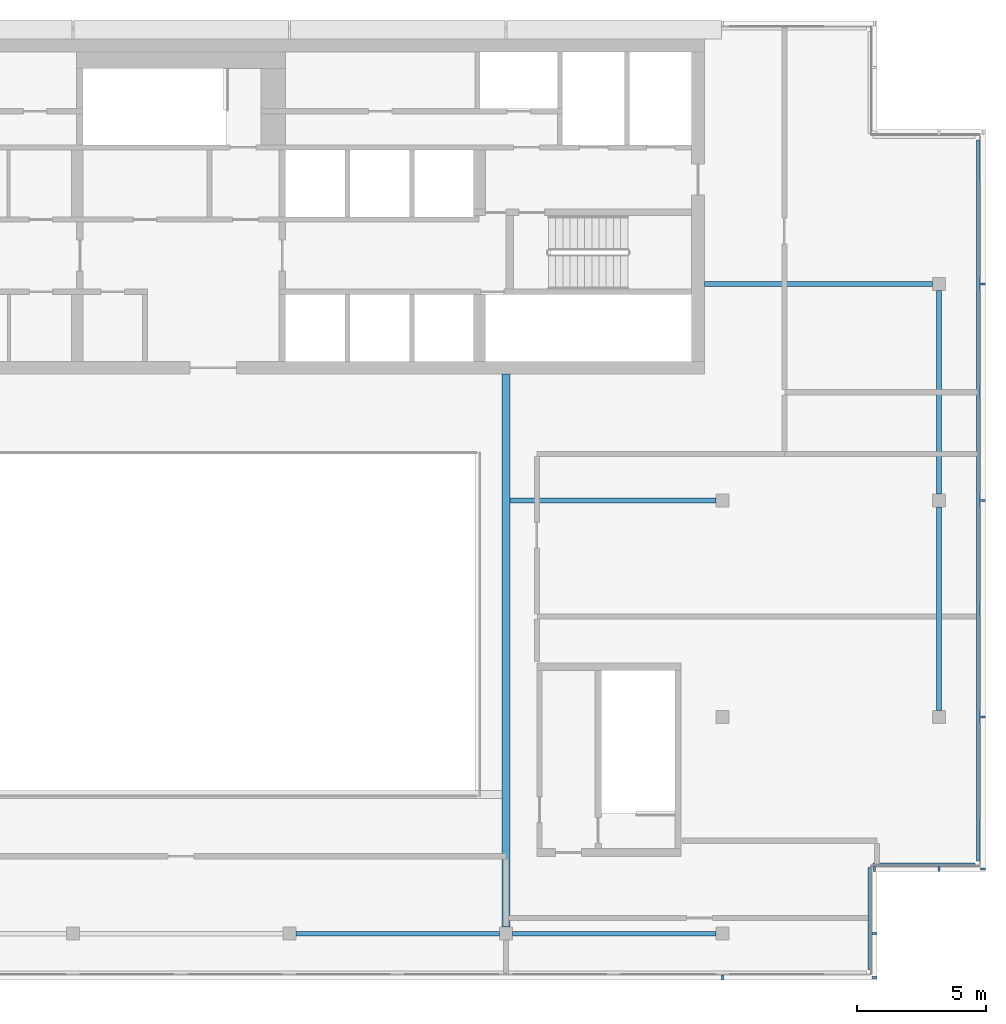
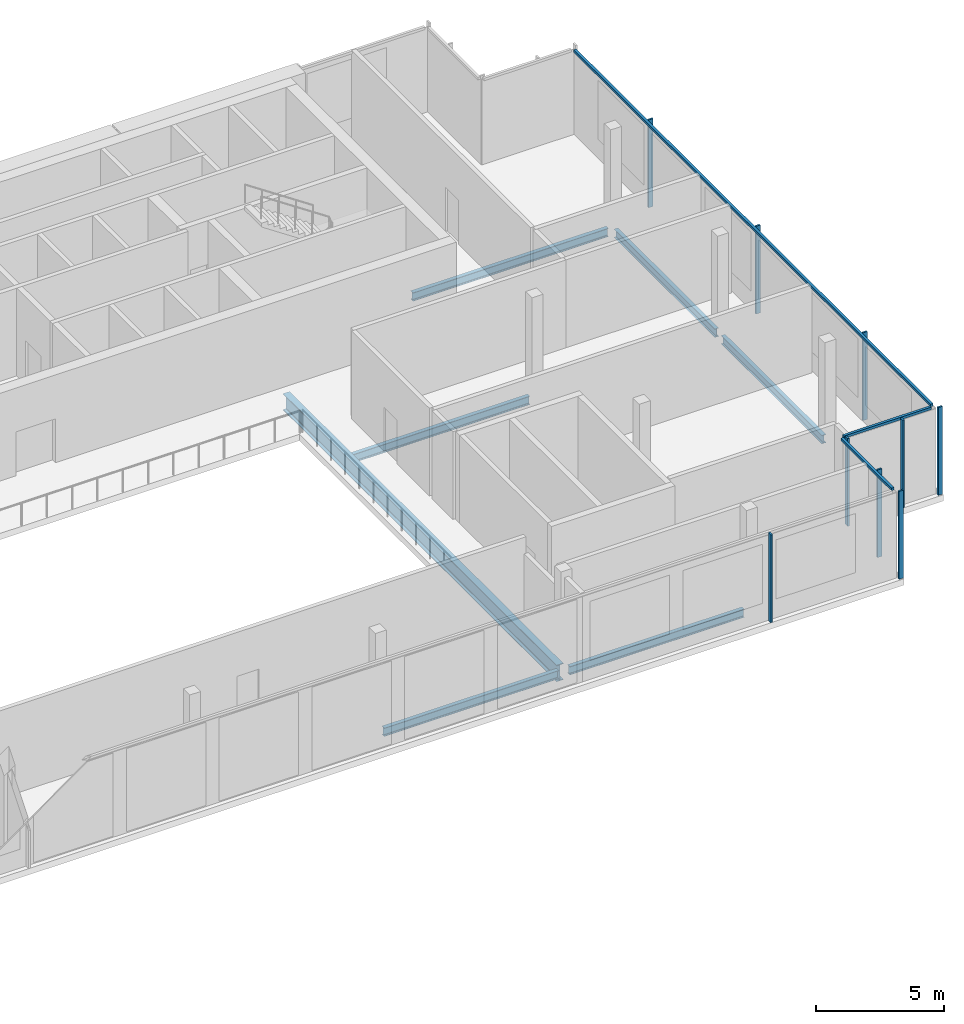
# One storey, part 5 of 14: 12 members, 7 beams, 4 elements without a shape of their own.
"""IFC4 building model written with IfcOpenShell, lengths in metres."""

from ifc_helpers import new_model, si_unit, direction, frame, origin, origin_2d, place, context, subcontext, project, spatial, rectangle, i_section, extrude, material, material_profile, profile_set, type_object, element, aggregate, save


model = new_model("IFC4")

# Units and contexts
model_context = context("Model", 3, precision=1e-05, world=origin(), true_north=direction((0.0, 1.0)))
body_context = subcontext(model_context, "Body", "Model", "MODEL_VIEW")
ifc_project = project(units=[si_unit("LENGTHUNIT", "METRE"), si_unit("AREAUNIT", "SQUARE_METRE"), si_unit("VOLUMEUNIT", "CUBIC_METRE"), si_unit("PLANEANGLEUNIT", "RADIAN"), si_unit("MASSUNIT", "GRAM", prefix="KILO")], contexts=[model_context])

# Site, building, storey
site_placement = place(None, origin())
site = spatial("IfcSite", under=ifc_project, at=site_placement, CompositionType="ELEMENT")
building_placement = place(site_placement, origin())
building = spatial("IfcBuilding", under=site, at=building_placement, Name="Saffron Gate Tower", CompositionType="ELEMENT")
storey_placement = place(building_placement, frame((0.0, 0.0, 310.35009765625)))
storey = spatial("IfcBuildingStorey", under=building, at=storey_placement, Name="L76", CompositionType="ELEMENT", Elevation=310.35009765625)

# Beams
ifc_material_1 = material(Name="Structural steel S355", Category="steel")
ifc_material_profile_1 = material_profile(ifc_material_1, i_section(OverallWidth=0.300048828125, OverallDepth=0.7900390625, WebThickness=0.014892578125, FlangeThickness=0.028076171875, FilletRadius=0.030029296875, at=origin_2d()))
ifc_profile_set_1 = profile_set([ifc_material_profile_1], Name="Structural steel S355")
beam_type_1 = type_object("IfcBeamType", Name="B18 HEA 800", PredefinedType="BEAM", material=ifc_profile_set_1)
beam_1_placement = place(storey_placement, frame((100.199951171875, 40.449951171875, -0.695068359375), z_axis=(0.0, 1.0, 0.0), x_axis=(-1.0, 0.0, 0.0)))
element("IfcBeam", 1, at=beam_1_placement, inside=storey, type_object=beam_type_1, Name="B18 ATRIUM GIRDER", PredefinedType="BEAM", context=body_context, shape_type="SweptSolid", body=[
    extrude(i_section(OverallWidth=0.300048828125, OverallDepth=0.7900390625, WebThickness=0.014892578125, FlangeThickness=0.028076171875, FilletRadius=0.030029296875, at=origin_2d()), origin(), (0.0, 0.0, 1.0), 21.449951171875),
])
ifc_material_profile_2 = material_profile(ifc_material_1, i_section(OverallWidth=0.179931640625, OverallDepth=0.39990234375, WebThickness=0.008544921875, FlangeThickness=0.013427734375, FilletRadius=0.02099609375, at=origin_2d()))
ifc_profile_set_2 = profile_set([ifc_material_profile_2], Name="Structural steel S355")
beam_type_2 = type_object("IfcBeamType", Name="B4 IPE 400", PredefinedType="BEAM", material=ifc_profile_set_2)
beam_2_placement = place(storey_placement, frame((108.35009765625, 57.0, -0.5), z_axis=(-1.0, 0.0, 0.0), x_axis=(0.0, -1.0, 0.0)))
element("IfcBeam", 2, at=beam_2_placement, inside=storey, type_object=beam_type_2, Name="B4 CORE TIE BEAM", PredefinedType="BEAM", context=body_context, shape_type="SweptSolid", body=[
    extrude(i_section(OverallWidth=0.179931640625, OverallDepth=0.39990234375, WebThickness=0.008544921875, FlangeThickness=0.013427734375, FilletRadius=0.02099609375, at=origin_2d()), origin(), (0.0, 0.0, 1.0), 8.0),
])
beam_3_placement = place(storey_placement, frame((116.75, 65.39990234375, -0.5), z_axis=(-1.0, 0.0, 0.0), x_axis=(0.0, -1.0, 0.0)))
element("IfcBeam", 3, at=beam_3_placement, inside=storey, type_object=beam_type_2, Name="B4 CORE TIE BEAM", PredefinedType="BEAM", context=body_context, shape_type="SweptSolid", body=[
    extrude(i_section(OverallWidth=0.179931640625, OverallDepth=0.39990234375, WebThickness=0.008544921875, FlangeThickness=0.013427734375, FilletRadius=0.02099609375, at=origin_2d()), origin(), (0.0, 0.0, 1.0), 8.85009765625),
])
ifc_material_profile_3 = material_profile(ifc_material_1, i_section(OverallWidth=0.179931640625, OverallDepth=0.39990234375, WebThickness=0.008544921875, FlangeThickness=0.013427734375, FilletRadius=0.02099609375, at=origin_2d()))
ifc_profile_set_3 = profile_set([ifc_material_profile_3], Name="Structural steel S355")
beam_type_3 = type_object("IfcBeamType", Name="B5 IPE 400", PredefinedType="SPANDREL", material=ifc_profile_set_3)
beam_4_placement = place(storey_placement, frame((92.050048828125, 40.199951171875, -0.5), z_axis=(1.0, 0.0, 0.0), x_axis=(0.0, 1.0, 0.0)))
element("IfcBeam", 4, at=beam_4_placement, inside=storey, type_object=beam_type_3, Name="B5 SPANDREL BEAM", PredefinedType="SPANDREL", context=body_context, shape_type="SweptSolid", body=[
    extrude(i_section(OverallWidth=0.179931640625, OverallDepth=0.39990234375, WebThickness=0.008544921875, FlangeThickness=0.013427734375, FilletRadius=0.02099609375, at=origin_2d()), origin(), (0.0, 0.0, 1.0), 7.89990234375),
])
beam_5_placement = place(storey_placement, frame((100.449951171875, 40.199951171875, -0.5), z_axis=(1.0, 0.0, 0.0), x_axis=(0.0, 1.0, 0.0)))
element("IfcBeam", 5, at=beam_5_placement, inside=storey, type_object=beam_type_3, Name="B5 SPANDREL BEAM", PredefinedType="SPANDREL", context=body_context, shape_type="SweptSolid", body=[
    extrude(i_section(OverallWidth=0.179931640625, OverallDepth=0.39990234375, WebThickness=0.008544921875, FlangeThickness=0.013427734375, FilletRadius=0.02099609375, at=origin_2d()), origin(), (0.0, 0.0, 1.0), 7.900146484375),
])
for number, where, z_axis, x_axis, name in (
    (6, (117.0, 48.85009765625, -0.5), (0.0, 1.0, 0.0), (-1.0, 0.0, 0.0), "B5 SPANDREL BEAM"),
    (7, (117.0, 57.25, -0.5), (0.0, 1.0, 0.0), (-1.0, 0.0, 0.0), "B5 SPANDREL BEAM"),
):
    element("IfcBeam", number, at=place(storey_placement, frame(where, z_axis=z_axis, x_axis=x_axis)), inside=storey, type_object=beam_type_3, Name=name, PredefinedType="SPANDREL", context=body_context, shape_type="SweptSolid", body=[
        extrude(i_section(OverallWidth=0.179931640625, OverallDepth=0.39990234375, WebThickness=0.008544921875, FlangeThickness=0.013427734375, FilletRadius=0.02099609375, at=origin_2d()), origin(), (0.0, 0.0, 1.0), 7.89990234375),
    ])

# Curtain wall, member
ifc_material_2 = material(Name="Aluminium, bronze anodised", Category="aluminium")
curtain_wall_type = type_object("IfcCurtainWallType", Name="CWS6 curtain wall tall storeys", PredefinedType="NOTDEFINED", material=ifc_material_2)
curtain_wall_1_placement = place(storey_placement, origin())
curtain_wall_1 = element("IfcCurtainWall", 8, at=curtain_wall_1_placement, inside=storey, type_object=curtain_wall_type, Name="CWS6 run 2", PredefinedType="NOTDEFINED")
ifc_material_profile_4 = material_profile(ifc_material_2, rectangle(XDim=0.1201171875, YDim=0.1201171875, at=origin_2d()))
ifc_profile_set_4 = profile_set([ifc_material_profile_4], Name="Aluminium, bronze anodised")
member_type_1 = type_object("IfcMemberType", Name="CWS6 head transom", PredefinedType="USERDEFINED", material=ifc_profile_set_4)
member_1_placement = place(storey_placement, frame((114.31201171875, 38.80810546875, 4.139892578125), z_axis=(0.0, 1.0, 0.0), x_axis=(-1.0, 0.0, 0.0)))
member_1 = element("IfcMember", 9, at=member_1_placement, type_object=member_type_1, Name="CWS6 head transom", ObjectType="TRANSOM", PredefinedType="USERDEFINED", context=body_context, shape_type="SweptSolid", body=[
    extrude(rectangle(XDim=0.1201171875, YDim=0.1201171875, at=origin_2d()), origin(), (0.0, 0.0, 1.0), 3.9599609375),
])

curtain_wall_2_placement = place(storey_placement, origin())
curtain_wall_2 = element("IfcCurtainWall", 10, at=curtain_wall_2_placement, inside=storey, type_object=curtain_wall_type, Name="CWS6 run 3", PredefinedType="NOTDEFINED")
member_2_placement = place(storey_placement, frame((114.431884765625, 42.887939453125, 4.139892578125), z_axis=(1.0, 0.0, 0.0), x_axis=(0.0, 1.0, 0.0)))
member_2 = element("IfcMember", 11, at=member_2_placement, type_object=member_type_1, Name="CWS6 head transom", ObjectType="TRANSOM", PredefinedType="USERDEFINED", context=body_context, shape_type="SweptSolid", body=[
    extrude(rectangle(XDim=0.1201171875, YDim=0.1201171875, at=origin_2d()), origin(), (0.0, 0.0, 1.0), 3.960205078125),
])

curtain_wall_3_placement = place(storey_placement, origin())
curtain_wall_3 = element("IfcCurtainWall", 12, at=curtain_wall_3_placement, inside=storey, type_object=curtain_wall_type, Name="CWS6 run 4", PredefinedType="NOTDEFINED")
member_3_placement = place(storey_placement, frame((118.511962890625, 43.008056640625, 4.139892578125), z_axis=(0.0, 1.0, 0.0), x_axis=(-1.0, 0.0, 0.0)))
member_3 = element("IfcMember", 13, at=member_3_placement, type_object=member_type_1, Name="CWS6 head transom", ObjectType="TRANSOM", PredefinedType="USERDEFINED", context=body_context, shape_type="SweptSolid", body=[
    extrude(rectangle(XDim=0.1201171875, YDim=0.1201171875, at=origin_2d()), origin(), (0.0, 0.0, 1.0), 27.98388671875),
])

curtain_wall_4_placement = place(storey_placement, origin())
curtain_wall_4 = element("IfcCurtainWall", 14, at=curtain_wall_4_placement, inside=storey, type_object=curtain_wall_type, Name="CWS6 run 1", PredefinedType="NOTDEFINED")
ifc_material_profile_5 = material_profile(ifc_material_2, rectangle(XDim=0.199951171875, YDim=0.080078125, at=origin_2d()))
ifc_profile_set_5 = profile_set([ifc_material_profile_5], Name="Aluminium, bronze anodised")
member_type_2 = type_object("IfcMemberType", Name="CWS6 mullion 80x200", PredefinedType="MULLION", material=ifc_profile_set_5)
member_4_placement = place(storey_placement, frame((108.60009765625, 38.5, 0.0), z_axis=(0.0, 0.0, 1.0), x_axis=(0.0, 1.0, 0.0)))
member_4 = element("IfcMember", 15, at=member_4_placement, type_object=member_type_2, Name="CWS6 mullion 7", PredefinedType="MULLION", context=body_context, shape_type="SweptSolid", body=[
    extrude(rectangle(XDim=0.199951171875, YDim=0.080078125, at=origin_2d()), origin(), (0.0, 0.0, 1.0), 4.199951171875),
])
aggregate(curtain_wall_4, [member_4])

# Member
member_5_placement = place(storey_placement, frame((114.5, 38.5, 0.0), z_axis=(0.0, 0.0, 1.0), x_axis=(-1.0, 0.0, 0.0)))
member_5 = element("IfcMember", 16, at=member_5_placement, type_object=member_type_2, Name="CWS6 mullion 1", PredefinedType="MULLION", context=body_context, shape_type="SweptSolid", body=[
    extrude(rectangle(XDim=0.199951171875, YDim=0.080078125, at=origin_2d()), origin(), (0.0, 0.0, 1.0), 4.199951171875),
])

member_6_placement = place(storey_placement, frame((114.5, 40.199951171875, 0.0), z_axis=(0.0, 0.0, 1.0), x_axis=(-1.0, 0.0, 0.0)))
member_6 = element("IfcMember", 17, at=member_6_placement, type_object=member_type_2, Name="CWS6 mullion 2", PredefinedType="MULLION", context=body_context, shape_type="SweptSolid", body=[
    extrude(rectangle(XDim=0.199951171875, YDim=0.080078125, at=origin_2d()), origin(), (0.0, 0.0, 1.0), 4.199951171875),
])

aggregate(curtain_wall_1, [member_5, member_6, member_1])

member_7_placement = place(storey_placement, frame((114.5, 42.699951171875, 0.0), z_axis=(0.0, 0.0, 1.0), x_axis=(0.0, 1.0, 0.0)))
member_7 = element("IfcMember", 18, at=member_7_placement, type_object=member_type_2, Name="CWS6 mullion 1", PredefinedType="MULLION", context=body_context, shape_type="SweptSolid", body=[
    extrude(rectangle(XDim=0.199951171875, YDim=0.080078125, at=origin_2d()), origin(), (0.0, 0.0, 1.0), 4.199951171875),
])

member_8_placement = place(storey_placement, frame((117.0, 42.699951171875, 0.0), z_axis=(0.0, 0.0, 1.0), x_axis=(0.0, 1.0, 0.0)))
member_8 = element("IfcMember", 19, at=member_8_placement, type_object=member_type_2, Name="CWS6 mullion 2", PredefinedType="MULLION", context=body_context, shape_type="SweptSolid", body=[
    extrude(rectangle(XDim=0.199951171875, YDim=0.080078125, at=origin_2d()), origin(), (0.0, 0.0, 1.0), 4.199951171875),
])

aggregate(curtain_wall_2, [member_7, member_8, member_2])

member_9_placement = place(storey_placement, frame((118.699951171875, 42.699951171875, 0.0), z_axis=(0.0, 0.0, 1.0), x_axis=(-1.0, 0.0, 0.0)))
member_9 = element("IfcMember", 20, at=member_9_placement, type_object=member_type_2, Name="CWS6 mullion 1", PredefinedType="MULLION", context=body_context, shape_type="SweptSolid", body=[
    extrude(rectangle(XDim=0.199951171875, YDim=0.080078125, at=origin_2d()), origin(), (0.0, 0.0, 1.0), 4.199951171875),
])

member_10_placement = place(storey_placement, frame((118.699951171875, 48.60009765625, 0.0), z_axis=(0.0, 0.0, 1.0), x_axis=(-1.0, 0.0, 0.0)))
member_10 = element("IfcMember", 21, at=member_10_placement, type_object=member_type_2, Name="CWS6 mullion 2", PredefinedType="MULLION", context=body_context, shape_type="SweptSolid", body=[
    extrude(rectangle(XDim=0.199951171875, YDim=0.080078125, at=origin_2d()), origin(), (0.0, 0.0, 1.0), 4.199951171875),
])

member_11_placement = place(storey_placement, frame((118.699951171875, 57.0, 0.0), z_axis=(0.0, 0.0, 1.0), x_axis=(-1.0, 0.0, 0.0)))
member_11 = element("IfcMember", 22, at=member_11_placement, type_object=member_type_2, Name="CWS6 mullion 3", PredefinedType="MULLION", context=body_context, shape_type="SweptSolid", body=[
    extrude(rectangle(XDim=0.199951171875, YDim=0.080078125, at=origin_2d()), origin(), (0.0, 0.0, 1.0), 4.199951171875),
])

member_12_placement = place(storey_placement, frame((118.699951171875, 65.39990234375, 0.0), z_axis=(0.0, 0.0, 1.0), x_axis=(-1.0, 0.0, 0.0)))
member_12 = element("IfcMember", 23, at=member_12_placement, type_object=member_type_2, Name="CWS6 mullion 4", PredefinedType="MULLION", context=body_context, shape_type="SweptSolid", body=[
    extrude(rectangle(XDim=0.199951171875, YDim=0.080078125, at=origin_2d()), origin(), (0.0, 0.0, 1.0), 4.199951171875),
])

aggregate(curtain_wall_3, [member_9, member_10, member_11, member_12, member_3])

save(model, "model.ifc")
